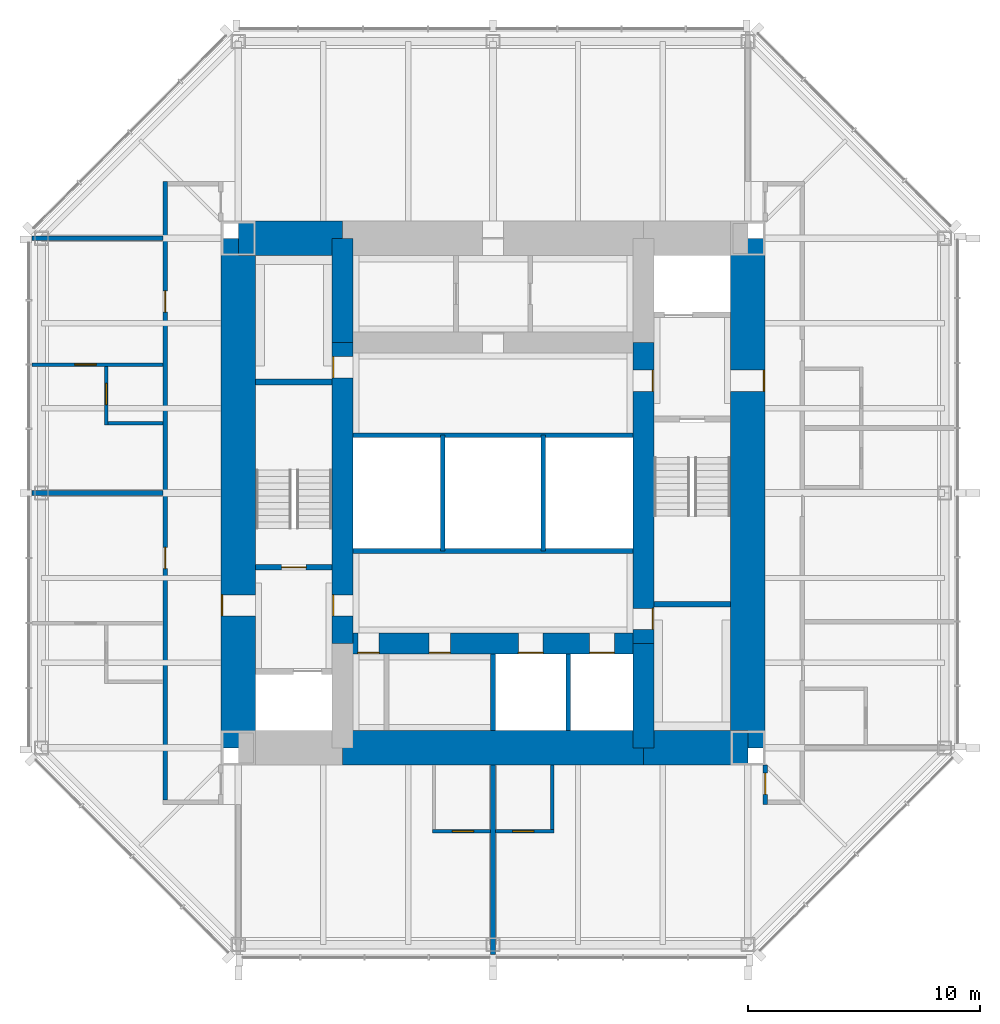
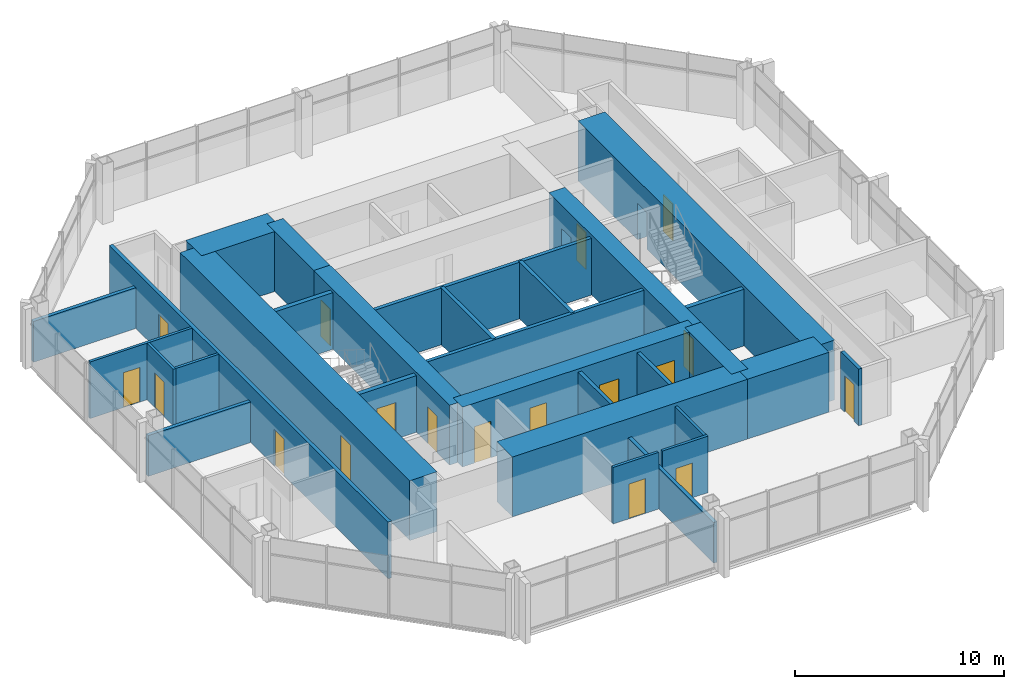
# One storey, part 8 of 11: 30 walls, 18 doors, 18 openings.
"""IFC4 building model written with IfcOpenShell, lengths in metres."""

from ifc_helpers import new_model, si_unit, direction, frame, frame_2d, origin, place, context, subcontext, project, spatial, rectangle, extrude, material, layer, layer_set, type_object, element, fill, save


model = new_model("IFC4")

# Units and contexts
model_context = context("Model", 3, precision=1e-05, world=origin(), true_north=direction((0.0, 1.0)))
body_context = subcontext(model_context, "Body", "Model", "MODEL_VIEW")
ifc_project = project(units=[si_unit("LENGTHUNIT", "METRE"), si_unit("AREAUNIT", "SQUARE_METRE"), si_unit("VOLUMEUNIT", "CUBIC_METRE"), si_unit("PLANEANGLEUNIT", "RADIAN"), si_unit("MASSUNIT", "GRAM", prefix="KILO")], contexts=[model_context])

# Site, building, storey
site_placement = place(None, origin())
site = spatial("IfcSite", under=ifc_project, at=site_placement, CompositionType="ELEMENT")
building_placement = place(site_placement, origin())
building = spatial("IfcBuilding", under=site, at=building_placement, Name="Trevanion Tower", CompositionType="ELEMENT")
storey_placement = place(building_placement, frame((0.0, 0.0, 253.699951171875)))
storey = spatial("IfcBuildingStorey", under=building, at=storey_placement, Name="L62", CompositionType="ELEMENT", Elevation=253.699951171875)

# Wall, opening, door
ifc_material_1 = material(Name="Concrete 10,000 psi", Category="concrete")
ifc_layer_1 = layer(ifc_material_1, 1.5)
ifc_layer_set_1 = layer_set([ifc_layer_1], Name="CW1 core wall 1500")
wall_type_1 = type_object("IfcWallType", Name="CW1 core wall 1500", PredefinedType="SHEAR", material=ifc_layer_set_1)
wall_1_placement = place(storey_placement, frame((11.0, -11.0, 0.0), z_axis=(0.0, 0.0, 1.0), x_axis=(0.0, 1.0, 0.0)))
wall_1 = element("IfcWall", 1, at=wall_1_placement, inside=storey, type_object=wall_type_1, Name="CW1 CE L62", PredefinedType="SHEAR", context=body_context, shape_type="SweptSolid", body=[
    extrude(rectangle(XDim=22.0, YDim=1.5, at=frame_2d((11.0, 0.0))), origin(), (0.0, 0.0, 1.0), 3.5),
])
opening_1_placement = place(wall_1_placement, frame((15.392578125, 0.0, 0.0)))
opening_1 = element("IfcOpeningElement", 2, at=opening_1_placement, cuts=wall_1, Name="Opening 62-001", PredefinedType="OPENING", context=body_context, shape_type="SweptSolid", body=[
    extrude(rectangle(XDim=0.9150390625, YDim=2.134033203125, at=frame_2d((0.45751953125, 1.06689453125))), frame((0.0, 0.760009765625, 0.0), z_axis=(0.0, -1.0, 0.0), x_axis=(1.0, 0.0, 0.0)), (0.0, 0.0, 1.0), 1.52001953125),
])
ifc_material_2 = material(Name="Hollow metal, fire rated", Category="steel")
door_type_1 = type_object("IfcDoorType", Name="D3 fire lift lobby door", OperationType="SINGLE_SWING_RIGHT", PredefinedType="DOOR", material=ifc_material_2)
door_1_placement = place(opening_1_placement, origin())
door_1 = element("IfcDoor", 3, at=door_1_placement, inside=storey, type_object=door_type_1, Name="Door 62-001", OperationType="SINGLE_SWING_RIGHT", OverallHeight=2.134033203125, OverallWidth=0.9150390625, PredefinedType="DOOR", context=body_context, shape_type="SweptSolid", body=[
    extrude(rectangle(XDim=0.9150390625, YDim=2.134033203125, at=frame_2d((0.45751953125, 1.06689453125))), frame((0.0, -0.6748046875, 0.0), z_axis=(0.0, -1.0, 0.0), x_axis=(1.0, 0.0, 0.0)), (0.0, 0.0, 1.0), 0.050048828125),
])
fill(opening_1, door_1)

wall_2_placement = place(storey_placement, frame((-11.0, 11.0, 0.0), z_axis=(0.0, 0.0, 1.0), x_axis=(0.0, -1.0, 0.0)))
wall_2 = element("IfcWall", 4, at=wall_2_placement, inside=storey, type_object=wall_type_1, Name="CW1 CW L62", PredefinedType="SHEAR", context=body_context, shape_type="SweptSolid", body=[
    extrude(rectangle(XDim=22.0, YDim=1.5, at=frame_2d((11.0, 0.0))), origin(), (0.0, 0.0, 1.0), 3.5),
])
opening_2_placement = place(wall_2_placement, frame((15.392578125, 0.0, 0.0)))
opening_2 = element("IfcOpeningElement", 5, at=opening_2_placement, cuts=wall_2, Name="Opening 62-002", PredefinedType="OPENING", context=body_context, shape_type="SweptSolid", body=[
    extrude(rectangle(XDim=0.9150390625, YDim=2.134033203125, at=frame_2d((0.45751953125, 1.06689453125))), frame((0.0, 0.760009765625, 0.0), z_axis=(0.0, -1.0, 0.0), x_axis=(1.0, 0.0, 0.0)), (0.0, 0.0, 1.0), 1.52001953125),
])
door_2_placement = place(opening_2_placement, origin())
door_2 = element("IfcDoor", 6, at=door_2_placement, inside=storey, type_object=door_type_1, Name="Door 62-002", OperationType="SINGLE_SWING_RIGHT", OverallHeight=2.134033203125, OverallWidth=0.9150390625, PredefinedType="DOOR", context=body_context, shape_type="SweptSolid", body=[
    extrude(rectangle(XDim=0.9150390625, YDim=2.134033203125, at=frame_2d((0.45751953125, 1.06689453125))), frame((0.0, -0.6748046875, 0.0), z_axis=(0.0, -1.0, 0.0), x_axis=(1.0, 0.0, 0.0)), (0.0, 0.0, 1.0), 0.050048828125),
])
fill(opening_2, door_2)

# Walls
wall_3_placement = place(storey_placement, frame((-6.5, 11.0, 0.0), z_axis=(0.0, 0.0, 1.0), x_axis=(-1.0, 0.0, 0.0)))
element("IfcWall", 7, at=wall_3_placement, inside=storey, type_object=wall_type_1, Name="CW1 CN3 L62", PredefinedType="SHEAR", context=body_context, shape_type="SweptSolid", body=[
    extrude(rectangle(XDim=4.5, YDim=1.5, at=frame_2d((2.25, 0.0))), origin(), (0.0, 0.0, 1.0), 3.5),
])
wall_4_placement = place(storey_placement, frame((-6.5, -11.0, 0.0), z_axis=(0.0, 0.0, 1.0), x_axis=(1.0, 0.0, 0.0)))
element("IfcWall", 8, at=wall_4_placement, inside=storey, type_object=wall_type_1, Name="CW1 CS2 L62", PredefinedType="SHEAR", context=body_context, shape_type="SweptSolid", body=[
    extrude(rectangle(XDim=13.0, YDim=1.5, at=frame_2d((6.5, 0.0))), origin(), (0.0, 0.0, 1.0), 3.5),
])
wall_5_placement = place(storey_placement, frame((6.5, -11.0, 0.0), z_axis=(0.0, 0.0, 1.0), x_axis=(1.0, 0.0, 0.0)))
element("IfcWall", 9, at=wall_5_placement, inside=storey, type_object=wall_type_1, Name="CW1 CS3 L62", PredefinedType="SHEAR", context=body_context, shape_type="SweptSolid", body=[
    extrude(rectangle(XDim=4.5, YDim=1.5, at=frame_2d((2.25, 0.0))), origin(), (0.0, 0.0, 1.0), 3.5),
])
ifc_material_3 = material(Name="Concrete 10,000 psi", Category="concrete")
ifc_layer_2 = layer(ifc_material_3, 0.89990234375)
ifc_layer_set_2 = layer_set([ifc_layer_2], Name="CW2 core wall 900")
wall_type_2 = type_object("IfcWallType", Name="CW2 core wall 900", PredefinedType="SHEAR", material=ifc_layer_set_2)
wall_6_placement = place(storey_placement, frame((6.5, -11.0, 0.0), z_axis=(0.0, 0.0, 1.0), x_axis=(0.0, 1.0, 0.0)))
element("IfcWall", 10, at=wall_6_placement, inside=storey, type_object=wall_type_2, Name="CW2 RE1 L62", PredefinedType="SHEAR", context=body_context, shape_type="SweptSolid", body=[
    extrude(rectangle(XDim=4.5, YDim=0.89990234375, at=frame_2d((2.25, 0.0))), origin(), (0.0, 0.0, 1.0), 3.5),
])

# Wall, openings, doors
wall_7_placement = place(storey_placement, frame((6.5, -6.5, 0.0), z_axis=(0.0, 0.0, 1.0), x_axis=(0.0, 1.0, 0.0)))
wall_7 = element("IfcWall", 11, at=wall_7_placement, inside=storey, type_object=wall_type_2, Name="CW2 RE2 L62", PredefinedType="SHEAR", context=body_context, shape_type="SweptSolid", body=[
    extrude(rectangle(XDim=13.0, YDim=0.89990234375, at=frame_2d((6.5, 0.0))), origin(), (0.0, 0.0, 1.0), 3.5),
])
opening_3_placement = place(wall_7_placement, frame((10.892578125, 0.0, 0.0)))
opening_3 = element("IfcOpeningElement", 12, at=opening_3_placement, cuts=wall_7, Name="Opening 62-003", PredefinedType="OPENING", context=body_context, shape_type="SweptSolid", body=[
    extrude(rectangle(XDim=0.9150390625, YDim=2.134033203125, at=frame_2d((0.45751953125, 1.06689453125))), frame((0.0, 0.4599609375, 0.0), z_axis=(0.0, -1.0, 0.0), x_axis=(1.0, 0.0, 0.0)), (0.0, 0.0, 1.0), 0.919921875),
])
opening_4_placement = place(wall_7_placement, frame((0.610107421875, 0.0, 0.0)))
opening_4 = element("IfcOpeningElement", 13, at=opening_4_placement, cuts=wall_7, Name="Opening 62-009", PredefinedType="OPENING", context=body_context, shape_type="SweptSolid", body=[
    extrude(rectangle(XDim=0.9150390625, YDim=2.134033203125, at=frame_2d((0.45751953125, 1.06689453125))), frame((0.0, 0.4599609375, 0.0), z_axis=(0.0, -1.0, 0.0), x_axis=(1.0, 0.0, 0.0)), (0.0, 0.0, 1.0), 0.919921875),
])
door_3_placement = place(opening_3_placement, origin())
door_3 = element("IfcDoor", 14, at=door_3_placement, inside=storey, type_object=door_type_1, Name="Door 62-003", OperationType="SINGLE_SWING_RIGHT", OverallHeight=2.134033203125, OverallWidth=0.9150390625, PredefinedType="DOOR", context=body_context, shape_type="SweptSolid", body=[
    extrude(rectangle(XDim=0.9150390625, YDim=2.134033203125, at=frame_2d((0.45751953125, 1.06689453125))), frame((0.0, -0.375, 0.0), z_axis=(0.0, -1.0, 0.0), x_axis=(1.0, 0.0, 0.0)), (0.0, 0.0, 1.0), 0.050048828125),
])
fill(opening_3, door_3)
ifc_material_4 = material(Name="Hollow metal, fire rated", Category="steel")
door_type_2 = type_object("IfcDoorType", Name="D5 service room door", OperationType="SINGLE_SWING_RIGHT", PredefinedType="DOOR", material=ifc_material_4)
door_4_placement = place(opening_4_placement, origin())
door_4 = element("IfcDoor", 15, at=door_4_placement, inside=storey, type_object=door_type_2, Name="Door 62-009", OperationType="SINGLE_SWING_RIGHT", OverallHeight=2.134033203125, OverallWidth=0.9150390625, PredefinedType="DOOR", context=body_context, shape_type="SweptSolid", body=[
    extrude(rectangle(XDim=0.9150390625, YDim=2.134033203125, at=frame_2d((0.45751953125, 1.06689453125))), frame((0.0, -0.375, 0.0), z_axis=(0.0, -1.0, 0.0), x_axis=(1.0, 0.0, 0.0)), (0.0, 0.0, 1.0), 0.050048828125),
])
fill(opening_4, door_4)

# Wall
wall_8_placement = place(storey_placement, frame((-6.5, 11.0, 0.0), z_axis=(0.0, 0.0, 1.0), x_axis=(0.0, -1.0, 0.0)))
element("IfcWall", 16, at=wall_8_placement, inside=storey, type_object=wall_type_2, Name="CW2 RW1 L62", PredefinedType="SHEAR", context=body_context, shape_type="SweptSolid", body=[
    extrude(rectangle(XDim=4.5, YDim=0.89990234375, at=frame_2d((2.25, 0.0))), origin(), (0.0, 0.0, 1.0), 3.5),
])

# Wall, openings, doors
wall_9_placement = place(storey_placement, frame((-6.5, 6.5, 0.0), z_axis=(0.0, 0.0, 1.0), x_axis=(0.0, -1.0, 0.0)))
wall_9 = element("IfcWall", 17, at=wall_9_placement, inside=storey, type_object=wall_type_2, Name="CW2 RW2 L62", PredefinedType="SHEAR", context=body_context, shape_type="SweptSolid", body=[
    extrude(rectangle(XDim=13.0, YDim=0.89990234375, at=frame_2d((6.5, 0.0))), origin(), (0.0, 0.0, 1.0), 3.5),
])
opening_5_placement = place(wall_9_placement, frame((10.892578125, 0.0, 0.0)))
opening_5 = element("IfcOpeningElement", 18, at=opening_5_placement, cuts=wall_9, Name="Opening 62-004", PredefinedType="OPENING", context=body_context, shape_type="SweptSolid", body=[
    extrude(rectangle(XDim=0.9150390625, YDim=2.134033203125, at=frame_2d((0.45751953125, 1.06689453125))), frame((0.0, 0.4599609375, 0.0), z_axis=(0.0, -1.0, 0.0), x_axis=(1.0, 0.0, 0.0)), (0.0, 0.0, 1.0), 0.919921875),
])
opening_6_placement = place(wall_9_placement, frame((0.610107421875, 0.0, 0.0)))
opening_6 = element("IfcOpeningElement", 19, at=opening_6_placement, cuts=wall_9, Name="Opening 62-010", PredefinedType="OPENING", context=body_context, shape_type="SweptSolid", body=[
    extrude(rectangle(XDim=0.9150390625, YDim=2.134033203125, at=frame_2d((0.45751953125, 1.06689453125))), frame((0.0, 0.4599609375, 0.0), z_axis=(0.0, -1.0, 0.0), x_axis=(1.0, 0.0, 0.0)), (0.0, 0.0, 1.0), 0.919921875),
])
door_5_placement = place(opening_5_placement, origin())
door_5 = element("IfcDoor", 20, at=door_5_placement, inside=storey, type_object=door_type_1, Name="Door 62-004", OperationType="SINGLE_SWING_RIGHT", OverallHeight=2.134033203125, OverallWidth=0.9150390625, PredefinedType="DOOR", context=body_context, shape_type="SweptSolid", body=[
    extrude(rectangle(XDim=0.9150390625, YDim=2.134033203125, at=frame_2d((0.45751953125, 1.06689453125))), frame((0.0, -0.375, 0.0), z_axis=(0.0, -1.0, 0.0), x_axis=(1.0, 0.0, 0.0)), (0.0, 0.0, 1.0), 0.050048828125),
])
fill(opening_5, door_5)
door_6_placement = place(opening_6_placement, origin())
door_6 = element("IfcDoor", 21, at=door_6_placement, inside=storey, type_object=door_type_2, Name="Door 62-010", OperationType="SINGLE_SWING_RIGHT", OverallHeight=2.134033203125, OverallWidth=0.9150390625, PredefinedType="DOOR", context=body_context, shape_type="SweptSolid", body=[
    extrude(rectangle(XDim=0.9150390625, YDim=2.134033203125, at=frame_2d((0.45751953125, 1.06689453125))), frame((0.0, -0.375, 0.0), z_axis=(0.0, -1.0, 0.0), x_axis=(1.0, 0.0, 0.0)), (0.0, 0.0, 1.0), 0.050048828125),
])
fill(opening_6, door_6)

wall_10_placement = place(storey_placement, frame((-6.5, -6.5, 0.0), z_axis=(0.0, 0.0, 1.0), x_axis=(1.0, 0.0, 0.0)))
wall_10 = element("IfcWall", 22, at=wall_10_placement, inside=storey, type_object=wall_type_2, Name="CW2 RS L62", PredefinedType="SHEAR", context=body_context, shape_type="SweptSolid", body=[
    extrude(rectangle(XDim=13.0, YDim=0.89990234375, at=frame_2d((6.5, 0.0))), origin(), (0.0, 0.0, 1.0), 3.5),
])
opening_7_placement = place(wall_10_placement, frame((7.591552734375, 0.0, 0.0)))
opening_7 = element("IfcOpeningElement", 23, at=opening_7_placement, cuts=wall_10, Name="Opening 62-011", PredefinedType="OPENING", context=body_context, shape_type="SweptSolid", body=[
    extrude(rectangle(XDim=1.06689453125, YDim=2.134033203125, at=frame_2d((0.533447265625, 1.06689453125))), frame((0.0, 0.4599609375, 0.0), z_axis=(0.0, -1.0, 0.0), x_axis=(1.0, 0.0, 0.0)), (0.0, 0.0, 1.0), 0.919921875),
])
opening_8_placement = place(wall_10_placement, frame((10.66650390625, 0.0, 0.0)))
opening_8 = element("IfcOpeningElement", 24, at=opening_8_placement, cuts=wall_10, Name="Opening 62-012", PredefinedType="OPENING", context=body_context, shape_type="SweptSolid", body=[
    extrude(rectangle(XDim=1.06689453125, YDim=2.134033203125, at=frame_2d((0.533447265625, 1.06689453125))), frame((0.0, 0.4599609375, 0.0), z_axis=(0.0, -1.0, 0.0), x_axis=(1.0, 0.0, 0.0)), (0.0, 0.0, 1.0), 0.919921875),
])
opening_9_placement = place(wall_10_placement, frame((0.66748046875, 0.0, 0.0)))
opening_9 = element("IfcOpeningElement", 25, at=opening_9_placement, cuts=wall_10, Name="Opening 62-013", PredefinedType="OPENING", context=body_context, shape_type="SweptSolid", body=[
    extrude(rectangle(XDim=0.9150390625, YDim=2.134033203125, at=frame_2d((0.45751953125, 1.06689453125))), frame((0.0, 0.4599609375, 0.0), z_axis=(0.0, -1.0, 0.0), x_axis=(1.0, 0.0, 0.0)), (0.0, 0.0, 1.0), 0.919921875),
])
opening_10_placement = place(wall_10_placement, frame((3.742431640625, 0.0, 0.0)))
opening_10 = element("IfcOpeningElement", 26, at=opening_10_placement, cuts=wall_10, Name="Opening 62-014", PredefinedType="OPENING", context=body_context, shape_type="SweptSolid", body=[
    extrude(rectangle(XDim=0.9150390625, YDim=2.134033203125, at=frame_2d((0.45751953125, 1.06689453125))), frame((0.0, 0.4599609375, 0.0), z_axis=(0.0, -1.0, 0.0), x_axis=(1.0, 0.0, 0.0)), (0.0, 0.0, 1.0), 0.919921875),
])
door_7_placement = place(opening_9_placement, origin())
door_7 = element("IfcDoor", 27, at=door_7_placement, inside=storey, type_object=door_type_2, Name="Door 62-013", OperationType="SINGLE_SWING_RIGHT", OverallHeight=2.134033203125, OverallWidth=0.9150390625, PredefinedType="DOOR", context=body_context, shape_type="SweptSolid", body=[
    extrude(rectangle(XDim=0.9150390625, YDim=2.134033203125, at=frame_2d((0.45751953125, 1.06689453125))), frame((0.0, -0.375, 0.0), z_axis=(0.0, -1.0, 0.0), x_axis=(1.0, 0.0, 0.0)), (0.0, 0.0, 1.0), 0.050048828125),
])
fill(opening_9, door_7)
door_8_placement = place(opening_10_placement, origin())
door_8 = element("IfcDoor", 28, at=door_8_placement, inside=storey, type_object=door_type_2, Name="Door 62-014", OperationType="SINGLE_SWING_RIGHT", OverallHeight=2.134033203125, OverallWidth=0.9150390625, PredefinedType="DOOR", context=body_context, shape_type="SweptSolid", body=[
    extrude(rectangle(XDim=0.9150390625, YDim=2.134033203125, at=frame_2d((0.45751953125, 1.06689453125))), frame((0.0, -0.375, 0.0), z_axis=(0.0, -1.0, 0.0), x_axis=(1.0, 0.0, 0.0)), (0.0, 0.0, 1.0), 0.050048828125),
])
fill(opening_10, door_8)
ifc_material_5 = material(Name="Stainless steel, fire rated", Category="steel")
door_type_3 = type_object("IfcDoorType", Name="LD1 lift landing door", OperationType="SLIDING_TO_LEFT", PredefinedType="DOOR", material=ifc_material_5)
door_9_placement = place(opening_7_placement, origin())
door_9 = element("IfcDoor", 29, at=door_9_placement, inside=storey, type_object=door_type_3, Name="Door 62-011", OperationType="SLIDING_TO_LEFT", OverallHeight=2.134033203125, OverallWidth=1.06689453125, PredefinedType="DOOR", context=body_context, shape_type="SweptSolid", body=[
    extrude(rectangle(XDim=1.06689453125, YDim=2.134033203125, at=frame_2d((0.533447265625, 1.06689453125))), frame((0.0, -0.375, 0.0), z_axis=(0.0, -1.0, 0.0), x_axis=(1.0, 0.0, 0.0)), (0.0, 0.0, 1.0), 0.050048828125),
])
fill(opening_7, door_9)
door_10_placement = place(opening_8_placement, origin())
door_10 = element("IfcDoor", 30, at=door_10_placement, inside=storey, type_object=door_type_3, Name="Door 62-012", OperationType="SLIDING_TO_LEFT", OverallHeight=2.134033203125, OverallWidth=1.06689453125, PredefinedType="DOOR", context=body_context, shape_type="SweptSolid", body=[
    extrude(rectangle(XDim=1.06689453125, YDim=2.134033203125, at=frame_2d((0.533447265625, 1.06689453125))), frame((0.0, -0.375, 0.0), z_axis=(0.0, -1.0, 0.0), x_axis=(1.0, 0.0, 0.0)), (0.0, 0.0, 1.0), 0.050048828125),
])
fill(opening_8, door_10)

# Wall, opening, door
ifc_material_6 = material(Name="Gypsum board on steel studs", Category="steel")
ifc_layer_3 = layer(ifc_material_6, 0.14990234375)
ifc_layer_set_3 = layer_set([ifc_layer_3], Name="PT1 partition 150")
wall_type_3 = type_object("IfcWallType", Name="PT1 partition 150", PredefinedType="PARTITIONING", material=ifc_layer_set_3)
wall_11_placement = place(storey_placement, frame((-14.25, 5.549072265625, 0.0), z_axis=(0.0, 0.0, 1.0), x_axis=(-1.0, 0.0, 0.0)))
wall_11 = element("IfcWall", 31, at=wall_11_placement, inside=storey, type_object=wall_type_3, Name="PT1 L62 SW20", PredefinedType="PARTITIONING", context=body_context, shape_type="SweptSolid", body=[
    extrude(rectangle(XDim=5.6650390625, YDim=0.14990234375, at=frame_2d((2.83251953125, 0.0))), origin(), (0.0, 0.0, 1.0), 3.31005859375),
])
opening_11_placement = place(wall_11_placement, frame((2.892578125, 0.0, 0.0)))
opening_11 = element("IfcOpeningElement", 32, at=opening_11_placement, cuts=wall_11, Name="Opening 62-029", PredefinedType="OPENING", context=body_context, shape_type="SweptSolid", body=[
    extrude(rectangle(XDim=0.9150390625, YDim=2.031982421875, at=frame_2d((0.45751953125, 1.01611328125))), frame((0.0, 0.0849609375, 0.0), z_axis=(0.0, -1.0, 0.0), x_axis=(1.0, 0.0, 0.0)), (0.0, 0.0, 1.0), 0.169921875),
])
ifc_material_7 = material(Name="Timber veneer", Category="wood")
door_type_4 = type_object("IfcDoorType", Name="D7 bathroom door", OperationType="SINGLE_SWING_LEFT", PredefinedType="DOOR", material=ifc_material_7)
door_11_placement = place(opening_11_placement, origin())
door_11 = element("IfcDoor", 33, at=door_11_placement, inside=storey, type_object=door_type_4, Name="Door 62-029", OperationType="SINGLE_SWING_LEFT", OverallHeight=2.031982421875, OverallWidth=0.9150390625, PredefinedType="DOOR", context=body_context, shape_type="SweptSolid", body=[
    extrude(rectangle(XDim=0.9150390625, YDim=2.031982421875, at=frame_2d((0.45751953125, 1.01611328125))), frame((0.0, 0.02490234375, 0.0), z_axis=(0.0, -1.0, 0.0), x_axis=(1.0, 0.0, 0.0)), (0.0, 0.0, 1.0), 0.050048828125),
])
fill(opening_11, door_11)

wall_12_placement = place(storey_placement, frame((-16.699951171875, 5.47412109375, 0.0), z_axis=(0.0, 0.0, 1.0), x_axis=(0.0, -1.0, 0.0)))
wall_12 = element("IfcWall", 34, at=wall_12_placement, inside=storey, type_object=wall_type_3, Name="PT1 L62 BA20", PredefinedType="PARTITIONING", context=body_context, shape_type="SweptSolid", body=[
    extrude(rectangle(XDim=2.525146484375, YDim=0.14990234375, at=frame_2d((1.2626953125, 0.0))), origin(), (0.0, 0.0, 1.0), 3.31005859375),
])
opening_12_placement = place(wall_12_placement, frame((0.742431640625, 0.0, 0.0)))
opening_12 = element("IfcOpeningElement", 35, at=opening_12_placement, cuts=wall_12, Name="Opening 62-027", PredefinedType="OPENING", context=body_context, shape_type="SweptSolid", body=[
    extrude(rectangle(XDim=0.9150390625, YDim=2.031982421875, at=frame_2d((0.45751953125, 1.01611328125))), frame((0.0, 0.0849609375, 0.0), z_axis=(0.0, -1.0, 0.0), x_axis=(1.0, 0.0, 0.0)), (0.0, 0.0, 1.0), 0.169921875),
])
door_12_placement = place(opening_12_placement, origin())
door_12 = element("IfcDoor", 36, at=door_12_placement, inside=storey, type_object=door_type_4, Name="Door 62-027", OperationType="SINGLE_SWING_LEFT", OverallHeight=2.031982421875, OverallWidth=0.9150390625, PredefinedType="DOOR", context=body_context, shape_type="SweptSolid", body=[
    extrude(rectangle(XDim=0.9150390625, YDim=2.031982421875, at=frame_2d((0.45751953125, 1.01611328125))), frame((0.0, 0.02490234375, 0.0), z_axis=(0.0, -1.0, 0.0), x_axis=(1.0, 0.0, 0.0)), (0.0, 0.0, 1.0), 0.050048828125),
])
fill(opening_12, door_12)

# Wall
wall_13_placement = place(storey_placement, frame((-14.25, 3.02392578125, 0.0), z_axis=(0.0, 0.0, 1.0), x_axis=(-1.0, 0.0, 0.0)))
element("IfcWall", 37, at=wall_13_placement, inside=storey, type_object=wall_type_3, Name="PT1 L62 BB20", PredefinedType="PARTITIONING", context=body_context, shape_type="SweptSolid", body=[
    extrude(rectangle(XDim=2.375, YDim=0.14990234375, at=frame_2d((1.1875, 0.0))), origin(), (0.0, 0.0, 1.0), 3.31005859375),
])

# Wall, opening, door
wall_14_placement = place(storey_placement, frame((-2.625, -14.60009765625, 0.0), z_axis=(0.0, 0.0, 1.0), x_axis=(1.0, 0.0, 0.0)))
wall_14 = element("IfcWall", 38, at=wall_14_placement, inside=storey, type_object=wall_type_3, Name="PT1 L62 BA30", PredefinedType="PARTITIONING", context=body_context, shape_type="SweptSolid", body=[
    extrude(rectangle(XDim=2.52490234375, YDim=0.14990234375, at=frame_2d((1.262451171875, 0.0))), origin(), (0.0, 0.0, 1.0), 3.31005859375),
])
opening_13_placement = place(wall_14_placement, frame((0.867431640625, 0.0, 0.0)))
opening_13 = element("IfcOpeningElement", 39, at=opening_13_placement, cuts=wall_14, Name="Opening 62-035", PredefinedType="OPENING", context=body_context, shape_type="SweptSolid", body=[
    extrude(rectangle(XDim=0.9150390625, YDim=2.031982421875, at=frame_2d((0.45751953125, 1.01611328125))), frame((0.0, 0.0849609375, 0.0), z_axis=(0.0, -1.0, 0.0), x_axis=(1.0, 0.0, 0.0)), (0.0, 0.0, 1.0), 0.169921875),
])
door_13_placement = place(opening_13_placement, origin())
door_13 = element("IfcDoor", 40, at=door_13_placement, inside=storey, type_object=door_type_4, Name="Door 62-035", OperationType="SINGLE_SWING_LEFT", OverallHeight=2.031982421875, OverallWidth=0.9150390625, PredefinedType="DOOR", context=body_context, shape_type="SweptSolid", body=[
    extrude(rectangle(XDim=0.9150390625, YDim=2.031982421875, at=frame_2d((0.45751953125, 1.01611328125))), frame((0.0, 0.02490234375, 0.0), z_axis=(0.0, -1.0, 0.0), x_axis=(1.0, 0.0, 0.0)), (0.0, 0.0, 1.0), 0.050048828125),
])
fill(opening_13, door_13)

wall_15_placement = place(storey_placement, frame((0.10009765625, -14.60009765625, 0.0), z_axis=(0.0, 0.0, 1.0), x_axis=(1.0, 0.0, 0.0)))
wall_15 = element("IfcWall", 41, at=wall_15_placement, inside=storey, type_object=wall_type_3, Name="PT1 L62 BA31", PredefinedType="PARTITIONING", context=body_context, shape_type="SweptSolid", body=[
    extrude(rectangle(XDim=2.52490234375, YDim=0.14990234375, at=frame_2d((1.262451171875, 0.0))), origin(), (0.0, 0.0, 1.0), 3.31005859375),
])
opening_14_placement = place(wall_15_placement, frame((0.742431640625, 0.0, 0.0)))
opening_14 = element("IfcOpeningElement", 42, at=opening_14_placement, cuts=wall_15, Name="Opening 62-036", PredefinedType="OPENING", context=body_context, shape_type="SweptSolid", body=[
    extrude(rectangle(XDim=0.9150390625, YDim=2.031982421875, at=frame_2d((0.45751953125, 1.01611328125))), frame((0.0, 0.0849609375, 0.0), z_axis=(0.0, -1.0, 0.0), x_axis=(1.0, 0.0, 0.0)), (0.0, 0.0, 1.0), 0.169921875),
])
door_14_placement = place(opening_14_placement, origin())
door_14 = element("IfcDoor", 43, at=door_14_placement, inside=storey, type_object=door_type_4, Name="Door 62-036", OperationType="SINGLE_SWING_LEFT", OverallHeight=2.031982421875, OverallWidth=0.9150390625, PredefinedType="DOOR", context=body_context, shape_type="SweptSolid", body=[
    extrude(rectangle(XDim=0.9150390625, YDim=2.031982421875, at=frame_2d((0.45751953125, 1.01611328125))), frame((0.0, 0.02490234375, 0.0), z_axis=(0.0, -1.0, 0.0), x_axis=(1.0, 0.0, 0.0)), (0.0, 0.0, 1.0), 0.050048828125),
])
fill(opening_14, door_14)

# Walls
wall_16_placement = place(storey_placement, frame((2.550048828125, -11.75, 0.0), z_axis=(0.0, 0.0, 1.0), x_axis=(0.0, -1.0, 0.0)))
element("IfcWall", 44, at=wall_16_placement, inside=storey, type_object=wall_type_3, Name="PT1 L62 BB31", PredefinedType="PARTITIONING", context=body_context, shape_type="SweptSolid", body=[
    extrude(rectangle(XDim=2.77490234375, YDim=0.14990234375, at=frame_2d((1.387451171875, 0.0))), origin(), (0.0, 0.0, 1.0), 3.31005859375),
])
ifc_material_8 = material(Name="Concrete masonry, grouted", Category="masonry")
ifc_layer_4 = layer(ifc_material_8, 0.199951171875)
ifc_layer_set_4 = layer_set([ifc_layer_4], Name="PT2 partition 200 1 HR")
wall_type_4 = type_object("IfcWallType", Name="PT2 partition 200 1 HR", PredefinedType="PARTITIONING", material=ifc_layer_set_4)
for number, where, z_axis, x_axis, name in (
    (45, (-6.050048828125, 2.5, 0.0), (0.0, 0.0, 1.0), (1.0, 0.0, 0.0), "PT2 L62 CP1"),
    (46, (6.050048828125, -2.5, 0.0), (0.0, 0.0, 1.0), (-1.0, 0.0, 0.0), "PT2 L62 CP2"),
):
    element("IfcWall", number, at=place(storey_placement, frame(where, z_axis=z_axis, x_axis=x_axis)), inside=storey, type_object=wall_type_4, Name=name, PredefinedType="PARTITIONING", context=body_context, shape_type="SweptSolid", body=[
        extrude(rectangle(XDim=12.10009765625, YDim=0.199951171875, at=frame_2d((6.050048828125, 0.0))), origin(), (0.0, 0.0, 1.0), 3.31005859375),
    ])

# Wall, opening, door
wall_17_placement = place(storey_placement, frame((11.75, -11.75, 0.0), z_axis=(0.0, 0.0, 1.0), x_axis=(0.0, -1.0, 0.0)))
wall_17 = element("IfcWall", 47, at=wall_17_placement, inside=storey, type_object=wall_type_4, Name="PT2 L62 HO3b", PredefinedType="PARTITIONING", context=body_context, shape_type="SweptSolid", body=[
    extrude(rectangle(XDim=1.699951171875, YDim=0.199951171875, at=frame_2d((0.85009765625, 0.0))), origin(), (0.0, 0.0, 1.0), 3.31005859375),
])
opening_15_placement = place(wall_17_placement, frame((0.342529296875, 0.0, 0.0)))
opening_15 = element("IfcOpeningElement", 48, at=opening_15_placement, cuts=wall_17, Name="Opening 62-034", PredefinedType="OPENING", context=body_context, shape_type="SweptSolid", body=[
    extrude(rectangle(XDim=0.9150390625, YDim=2.134033203125, at=frame_2d((0.45751953125, 1.06689453125))), frame((0.0, 0.10986328125, 0.0), z_axis=(0.0, -1.0, 0.0), x_axis=(1.0, 0.0, 0.0)), (0.0, 0.0, 1.0), 0.219970703125),
])
ifc_material_9 = material(Name="Timber veneer, fire rated", Category="wood")
door_type_5 = type_object("IfcDoorType", Name="D6 guest room entrance door", OperationType="SINGLE_SWING_LEFT", PredefinedType="DOOR", material=ifc_material_9)
door_15_placement = place(opening_15_placement, origin())
door_15 = element("IfcDoor", 49, at=door_15_placement, inside=storey, type_object=door_type_5, Name="Door 62-034", OperationType="SINGLE_SWING_LEFT", OverallHeight=2.134033203125, OverallWidth=0.9150390625, PredefinedType="DOOR", context=body_context, shape_type="SweptSolid", body=[
    extrude(rectangle(XDim=0.9150390625, YDim=2.134033203125, at=frame_2d((0.45751953125, 1.06689453125))), frame((0.0, 0.02490234375, 0.0), z_axis=(0.0, -1.0, 0.0), x_axis=(1.0, 0.0, 0.0)), (0.0, 0.0, 1.0), 0.050048828125),
])
fill(opening_15, door_15)

# Wall, openings, doors
wall_18_placement = place(storey_placement, frame((-14.14990234375, 13.449951171875, 0.0), z_axis=(0.0, 0.0, 1.0), x_axis=(0.0, -1.0, 0.0)))
wall_18 = element("IfcWall", 50, at=wall_18_placement, inside=storey, type_object=wall_type_4, Name="PT2 L62 HC2", PredefinedType="PARTITIONING", context=body_context, shape_type="SweptSolid", body=[
    extrude(rectangle(XDim=26.699951171875, YDim=0.199951171875, at=frame_2d((13.35009765625, 0.0))), origin(), (0.0, 0.0, 1.0), 3.31005859375),
])
opening_16_placement = place(wall_18_placement, frame((4.718017578125, 0.0, 0.0)))
opening_16 = element("IfcOpeningElement", 51, at=opening_16_placement, cuts=wall_18, Name="Opening 62-028", PredefinedType="OPENING", context=body_context, shape_type="SweptSolid", body=[
    extrude(rectangle(XDim=0.9150390625, YDim=2.134033203125, at=frame_2d((0.45751953125, 1.06689453125))), frame((0.0, 0.10986328125, 0.0), z_axis=(0.0, -1.0, 0.0), x_axis=(1.0, 0.0, 0.0)), (0.0, 0.0, 1.0), 0.219970703125),
])
opening_17_placement = place(wall_18_placement, frame((15.799560546875, 0.0, 0.0)))
opening_17 = element("IfcOpeningElement", 52, at=opening_17_placement, cuts=wall_18, Name="Opening 62-031", PredefinedType="OPENING", context=body_context, shape_type="SweptSolid", body=[
    extrude(rectangle(XDim=0.9150390625, YDim=2.134033203125, at=frame_2d((0.45751953125, 1.06689453125))), frame((0.0, 0.10986328125, 0.0), z_axis=(0.0, -1.0, 0.0), x_axis=(1.0, 0.0, 0.0)), (0.0, 0.0, 1.0), 0.219970703125),
])
door_16_placement = place(opening_16_placement, origin())
door_16 = element("IfcDoor", 53, at=door_16_placement, inside=storey, type_object=door_type_5, Name="Door 62-028", OperationType="SINGLE_SWING_LEFT", OverallHeight=2.134033203125, OverallWidth=0.9150390625, PredefinedType="DOOR", context=body_context, shape_type="SweptSolid", body=[
    extrude(rectangle(XDim=0.9150390625, YDim=2.134033203125, at=frame_2d((0.45751953125, 1.06689453125))), frame((0.0, 0.02490234375, 0.0), z_axis=(0.0, -1.0, 0.0), x_axis=(1.0, 0.0, 0.0)), (0.0, 0.0, 1.0), 0.050048828125),
])
fill(opening_16, door_16)
door_17_placement = place(opening_17_placement, origin())
door_17 = element("IfcDoor", 54, at=door_17_placement, inside=storey, type_object=door_type_5, Name="Door 62-031", OperationType="SINGLE_SWING_LEFT", OverallHeight=2.134033203125, OverallWidth=0.9150390625, PredefinedType="DOOR", context=body_context, shape_type="SweptSolid", body=[
    extrude(rectangle(XDim=0.9150390625, YDim=2.134033203125, at=frame_2d((0.45751953125, 1.06689453125))), frame((0.0, 0.02490234375, 0.0), z_axis=(0.0, -1.0, 0.0), x_axis=(1.0, 0.0, 0.0)), (0.0, 0.0, 1.0), 0.050048828125),
])
fill(opening_17, door_17)

# Walls
for number, where, z_axis, x_axis, name in (
    (55, (-14.25, 11.0, 0.0), (0.0, 0.0, 1.0), (-1.0, 0.0, 0.0), "PT2 L62 HD20"),
    (56, (-14.25, 0.0, 0.0), (0.0, 0.0, 1.0), (-1.0, 0.0, 0.0), "PT2 L62 HD21"),
):
    element("IfcWall", number, at=place(storey_placement, frame(where, z_axis=z_axis, x_axis=x_axis)), inside=storey, type_object=wall_type_4, Name=name, PredefinedType="PARTITIONING", context=body_context, shape_type="SweptSolid", body=[
        extrude(rectangle(XDim=5.6650390625, YDim=0.199951171875, at=frame_2d((2.83251953125, 0.0))), origin(), (0.0, 0.0, 1.0), 2.383056640625),
    ])
wall_19_placement = place(storey_placement, frame((0.0, -11.75, 0.0), z_axis=(0.0, 0.0, 1.0), x_axis=(0.0, -1.0, 0.0)))
element("IfcWall", 57, at=wall_19_placement, inside=storey, type_object=wall_type_4, Name="PT2 L62 HD31", PredefinedType="PARTITIONING", context=body_context, shape_type="SweptSolid", body=[
    extrude(rectangle(XDim=8.1650390625, YDim=0.199951171875, at=frame_2d((4.08251953125, 0.0))), origin(), (0.0, 0.0, 1.0), 2.383056640625),
])
ifc_material_10 = material(Name="Concrete masonry, grouted", Category="masonry")
ifc_layer_5 = layer(ifc_material_10, 0.199951171875)
ifc_layer_set_5 = layer_set([ifc_layer_5], Name="PT2 partition 200 2 HR")
wall_type_5 = type_object("IfcWallType", Name="PT2 partition 200 2 HR", PredefinedType="PARTITIONING", material=ifc_layer_set_5)
for number, where, z_axis, x_axis, name in (
    (58, (0.0, -10.25, 0.0), (0.0, 0.0, 1.0), (0.0, 1.0, 0.0), "PT2 L62 SS1"),
    (59, (3.25, -10.25, 0.0), (0.0, 0.0, 1.0), (0.0, 1.0, 0.0), "PT2 L62 SS2"),
):
    element("IfcWall", number, at=place(storey_placement, frame(where, z_axis=z_axis, x_axis=x_axis)), inside=storey, type_object=wall_type_5, Name=name, PredefinedType="PARTITIONING", context=body_context, shape_type="SweptSolid", body=[
        extrude(rectangle(XDim=3.300048828125, YDim=0.199951171875, at=frame_2d((1.64990234375, 0.0))), origin(), (0.0, 0.0, 1.0), 3.31005859375),
    ])
for number, where, z_axis, x_axis, name in (
    (60, (-2.166748046875, -2.5, 0.0), (0.0, 0.0, 1.0), (0.0, 1.0, 0.0), "PT2 L62 MS0"),
    (61, (2.166748046875, -2.5, 0.0), (0.0, 0.0, 1.0), (0.0, 1.0, 0.0), "PT2 L62 MS1"),
):
    element("IfcWall", number, at=place(storey_placement, frame(where, z_axis=z_axis, x_axis=x_axis)), inside=storey, type_object=wall_type_5, Name=name, PredefinedType="PARTITIONING", context=body_context, shape_type="SweptSolid", body=[
        extrude(rectangle(XDim=5.0, YDim=0.199951171875, at=frame_2d((2.5, 0.0))), origin(), (0.0, 0.0, 1.0), 3.31005859375),
    ])
ifc_material_11 = material(Name="Reinforced masonry, fully grouted", Category="masonry")
ifc_layer_6 = layer(ifc_material_11, 0.25)
ifc_layer_set_6 = layer_set([ifc_layer_6], Name="SW1 stair shaft wall 250")
wall_type_6 = type_object("IfcWallType", Name="SW1 stair shaft wall 250", PredefinedType="SOLIDWALL", material=ifc_layer_set_6)
for number, where, z_axis, x_axis, name in (
    (62, (6.949951171875, -4.800048828125, 0.0), (0.0, 0.0, 1.0), (1.0, 0.0, 0.0), "SW1 L62 EP1"),
    (63, (-6.949951171875, 4.800048828125, 0.0), (0.0, 0.0, 1.0), (-1.0, 0.0, 0.0), "SW1 L62 WP1"),
):
    element("IfcWall", number, at=place(storey_placement, frame(where, z_axis=z_axis, x_axis=x_axis)), inside=storey, type_object=wall_type_6, Name=name, PredefinedType="SOLIDWALL", context=body_context, shape_type="SweptSolid", body=[
        extrude(rectangle(XDim=3.300048828125, YDim=0.25, at=frame_2d((1.64990234375, 0.0))), origin(), (0.0, 0.0, 1.0), 3.31005859375),
    ])

# Wall, opening, door
wall_20_placement = place(storey_placement, frame((-6.949951171875, -3.199951171875, 0.0), z_axis=(0.0, 0.0, 1.0), x_axis=(-1.0, 0.0, 0.0)))
wall_20 = element("IfcWall", 64, at=wall_20_placement, inside=storey, type_object=wall_type_6, Name="SW1 L62 WP2", PredefinedType="SOLIDWALL", context=body_context, shape_type="SweptSolid", body=[
    extrude(rectangle(XDim=3.300048828125, YDim=0.25, at=frame_2d((1.64990234375, 0.0))), origin(), (0.0, 0.0, 1.0), 3.31005859375),
])
opening_18_placement = place(wall_20_placement, frame((1.116455078125, 0.0, 0.0)))
opening_18 = element("IfcOpeningElement", 65, at=opening_18_placement, cuts=wall_20, Name="Opening 62-006", PredefinedType="OPENING", context=body_context, shape_type="SweptSolid", body=[
    extrude(rectangle(XDim=1.06689453125, YDim=2.134033203125, at=frame_2d((0.533447265625, 1.06689453125))), frame((0.0, 0.135009765625, 0.0), z_axis=(0.0, -1.0, 0.0), x_axis=(1.0, 0.0, 0.0)), (0.0, 0.0, 1.0), 0.27001953125),
])
ifc_material_12 = material(Name="Hollow metal, fire rated", Category="steel")
door_type_6 = type_object("IfcDoorType", Name="D2 exit stair door", OperationType="SINGLE_SWING_LEFT", PredefinedType="DOOR", material=ifc_material_12)
door_18_placement = place(opening_18_placement, origin())
door_18 = element("IfcDoor", 66, at=door_18_placement, inside=storey, type_object=door_type_6, Name="Door 62-006", OperationType="SINGLE_SWING_LEFT", OverallHeight=2.134033203125, OverallWidth=1.06689453125, PredefinedType="DOOR", context=body_context, shape_type="SweptSolid", body=[
    extrude(rectangle(XDim=1.06689453125, YDim=2.134033203125, at=frame_2d((0.533447265625, 1.06689453125))), frame((0.0, 0.02490234375, 0.0), z_axis=(0.0, -1.0, 0.0), x_axis=(1.0, 0.0, 0.0)), (0.0, 0.0, 1.0), 0.050048828125),
])
fill(opening_18, door_18)

save(model, "model.ifc")
